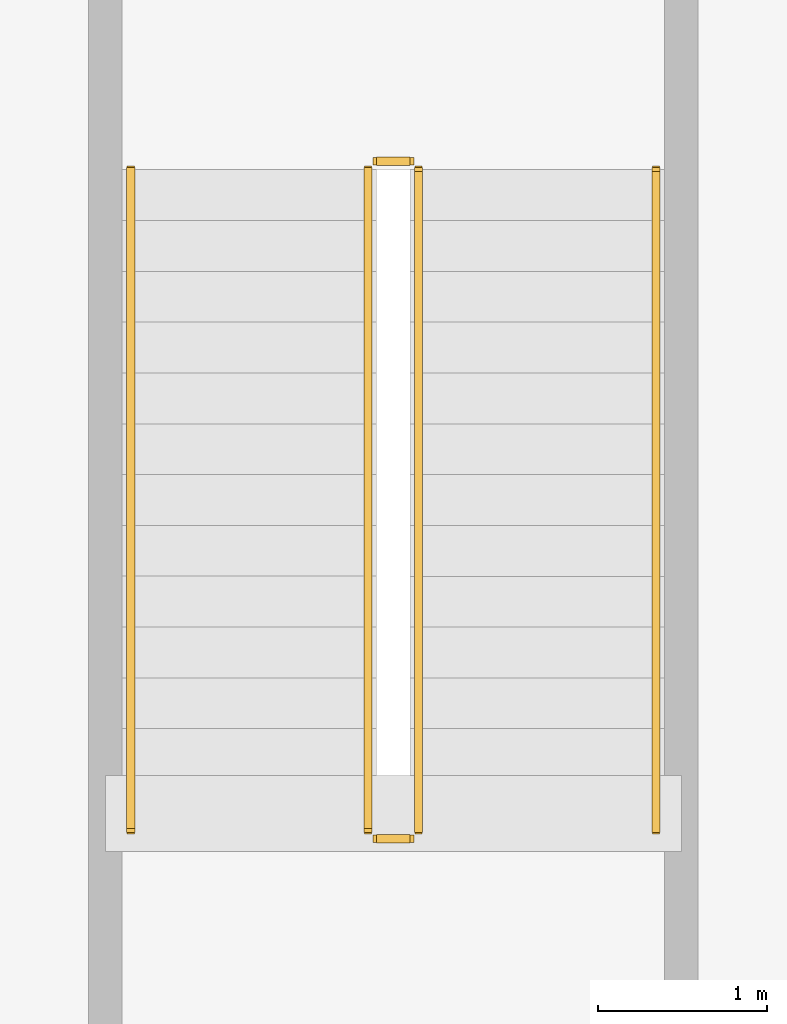
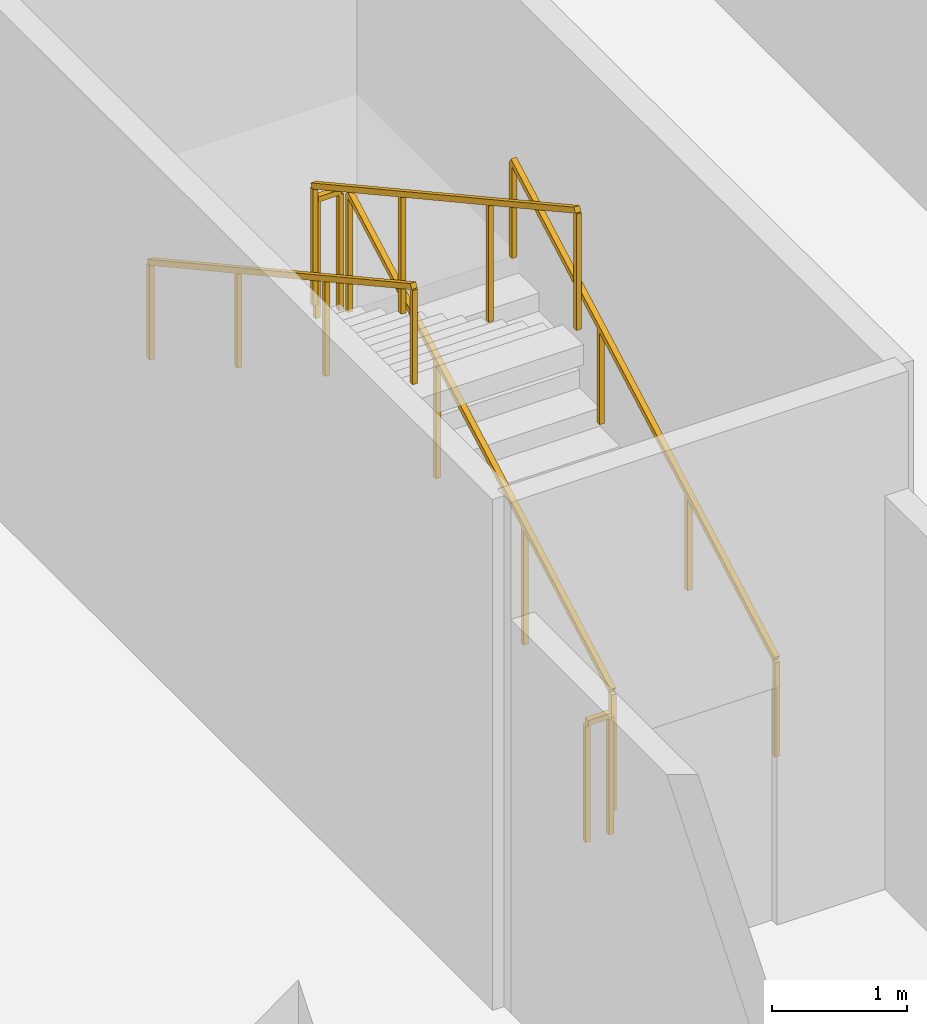
# One storey, part 13 of 13: 6 railings.
"""IFC4 building model written with IfcOpenShell, lengths in metres."""

from ifc_helpers import new_model, si_unit, direction, frame, origin, place, context, subcontext, project, spatial, rectangle, extrude, material, type_object, element, save


model = new_model("IFC4")

# Units and contexts
model_context = context("Model", 3, precision=1e-05, world=origin(), true_north=direction((0.0, 1.0)))
body_context = subcontext(model_context, "Body", "Model", "MODEL_VIEW")
ifc_project = project(units=[si_unit("LENGTHUNIT", "METRE"), si_unit("AREAUNIT", "SQUARE_METRE"), si_unit("VOLUMEUNIT", "CUBIC_METRE"), si_unit("PLANEANGLEUNIT", "RADIAN"), si_unit("MASSUNIT", "GRAM", prefix="KILO")], contexts=[model_context])

# Site, building, storey
site_placement = place(None, origin())
site = spatial("IfcSite", under=ifc_project, at=site_placement, CompositionType="ELEMENT")
building_placement = place(site_placement, origin())
building = spatial("IfcBuilding", under=site, at=building_placement, Name="Tanjung Sevakor Pilgrim Tower", CompositionType="ELEMENT")
storey_placement = place(building_placement, frame((0.0, 0.0, -4.6201171875)))
storey = spatial("IfcBuildingStorey", under=building, at=storey_placement, Name="B01", CompositionType="ELEMENT", Elevation=-4.6201171875)

# Railings
ifc_material_1 = material(Name="Steel S355J2", Category="steel")
railing_type_1 = type_object("IfcRailingType", Name="RL-STAIR-GUARD", PredefinedType="GUARDRAIL", material=ifc_material_1)
railing_1_placement = place(storey_placement, frame((107.550048828125, 52.89990234375, 0.1650390625)))
element("IfcRailing", 1, at=railing_1_placement, inside=storey, type_object=railing_type_1, Name="B01 BS-4 stair guard 1", PredefinedType="GUARDRAIL", context=body_context, shape_type="SweptSolid", body=[
    extrude(rectangle(XDim=0.0479, YDim=0.0479), frame((0.0, 0.0, 1.076171875), z_axis=(0.0, 0.876221698874, 0.481908221991), x_axis=(-1.0, 0.0, 0.0)), (0.0, 0.0, 1.0), 4.451171875),
    extrude(rectangle(XDim=0.042, YDim=0.042), origin(), (0.0, 0.0, 1.0), 1.052001953125),
    extrude(rectangle(XDim=0.042, YDim=0.042), frame((0.0, 1.300048828125, 0.715087890625)), (0.0, 0.0, 1.0), 1.052001953125),
    extrude(rectangle(XDim=0.042, YDim=0.042), frame((0.0, 2.60009765625, 1.429931640625)), (0.0, 0.0, 1.0), 1.052001953125),
    extrude(rectangle(XDim=0.042, YDim=0.042), frame((0.0, 3.900146484375, 2.14501953125)), (0.0, 0.0, 1.0), 1.052001953125),
])
railing_2_placement = place(storey_placement, frame((107.5, 56.85009765625, 2.31005859375)))
element("IfcRailing", 2, at=railing_2_placement, inside=storey, type_object=railing_type_1, Name="B01 BS-4 stair guard 2", PredefinedType="GUARDRAIL", context=body_context, shape_type="SweptSolid", body=[
    extrude(rectangle(XDim=0.0479, YDim=0.0479), frame((0.0, 0.0, 1.076171875), z_axis=(-1.0, 0.0, 0.0), x_axis=(0.0, -1.0, 0.0)), (0.0, 0.0, 1.0), 0.199951171875),
    extrude(rectangle(XDim=0.042, YDim=0.042), origin(), (0.0, 0.0, 1.0), 1.052001953125),
    extrude(rectangle(XDim=0.042, YDim=0.042), frame((-0.199951171875, 0.0, 0.0)), (0.0, 0.0, 1.0), 1.052001953125),
])
railing_3_placement = place(storey_placement, frame((107.25, 56.800048828125, 2.47509765625)))
element("IfcRailing", 3, at=railing_3_placement, inside=storey, type_object=railing_type_1, Name="B01 BS-4 stair guard 3", PredefinedType="GUARDRAIL", context=body_context, shape_type="SweptSolid", body=[
    extrude(rectangle(XDim=0.0479, YDim=0.0479), frame((0.0, 0.0, 1.076171875), z_axis=(0.0, -0.876221698874, 0.481908221991), x_axis=(1.0, 0.0, 0.0)), (0.0, 0.0, 1.0), 4.451171875),
    extrude(rectangle(XDim=0.042, YDim=0.042), origin(), (0.0, 0.0, 1.0), 1.052001953125),
    extrude(rectangle(XDim=0.042, YDim=0.042), frame((0.0, -1.300048828125, 0.715087890625)), (0.0, 0.0, 1.0), 1.052001953125),
    extrude(rectangle(XDim=0.042, YDim=0.042), frame((0.0, -2.60009765625, 1.429931640625)), (0.0, 0.0, 1.0), 1.052001953125),
    extrude(rectangle(XDim=0.042, YDim=0.042), frame((0.0, -3.900146484375, 2.14501953125)), (0.0, 0.0, 1.0), 1.052001953125),
])
railing_4_placement = place(storey_placement, frame((107.5, 52.85009765625, 0.0)))
element("IfcRailing", 4, at=railing_4_placement, inside=storey, type_object=railing_type_1, Name="B01 BS-4 stair guard 4", PredefinedType="GUARDRAIL", context=body_context, shape_type="SweptSolid", body=[
    extrude(rectangle(XDim=0.0479, YDim=0.0479), frame((0.0, 0.0, 1.076171875), z_axis=(-1.0, 0.0, 0.0), x_axis=(0.0, -1.0, 0.0)), (0.0, 0.0, 1.0), 0.199951171875),
    extrude(rectangle(XDim=0.042, YDim=0.042), origin(), (0.0, 0.0, 1.0), 1.052001953125),
    extrude(rectangle(XDim=0.042, YDim=0.042), frame((-0.199951171875, 0.0, 0.0)), (0.0, 0.0, 1.0), 1.052001953125),
])
ifc_material_2 = material(Name="Steel S355J2", Category="steel")
railing_type_2 = type_object("IfcRailingType", Name="RL-STAIR-HAND", PredefinedType="HANDRAIL", material=ifc_material_2)
railing_5_placement = place(storey_placement, frame((108.949951171875, 52.89990234375, 0.1650390625)))
element("IfcRailing", 5, at=railing_5_placement, inside=storey, type_object=railing_type_2, Name="B01 BS-4 stair handrail 1", PredefinedType="HANDRAIL", context=body_context, shape_type="SweptSolid", body=[
    extrude(rectangle(XDim=0.0479, YDim=0.0479), frame((0.0, 0.0, 0.8759765625), z_axis=(0.0, 0.876221698874, 0.481908221991), x_axis=(-1.0, 0.0, 0.0)), (0.0, 0.0, 1.0), 4.451171875),
    extrude(rectangle(XDim=0.042, YDim=0.042), origin(), (0.0, 0.0, 1.0), 0.851806640625),
    extrude(rectangle(XDim=0.042, YDim=0.042), frame((0.0, 1.300048828125, 0.715087890625)), (0.0, 0.0, 1.0), 0.851806640625),
    extrude(rectangle(XDim=0.042, YDim=0.042), frame((0.0, 2.60009765625, 1.429931640625)), (0.0, 0.0, 1.0), 0.851806640625),
    extrude(rectangle(XDim=0.042, YDim=0.042), frame((0.0, 3.900146484375, 2.14501953125)), (0.0, 0.0, 1.0), 0.851806640625),
])
railing_6_placement = place(storey_placement, frame((105.85009765625, 56.800048828125, 2.47509765625)))
element("IfcRailing", 6, at=railing_6_placement, inside=storey, type_object=railing_type_2, Name="B01 BS-4 stair handrail 2", PredefinedType="HANDRAIL", context=body_context, shape_type="SweptSolid", body=[
    extrude(rectangle(XDim=0.0479, YDim=0.0479), frame((0.0, 0.0, 0.8759765625), z_axis=(0.0, -0.876221698874, 0.481908221991), x_axis=(1.0, 0.0, 0.0)), (0.0, 0.0, 1.0), 4.451171875),
    extrude(rectangle(XDim=0.042, YDim=0.042), origin(), (0.0, 0.0, 1.0), 0.851806640625),
    extrude(rectangle(XDim=0.042, YDim=0.042), frame((0.0, -1.300048828125, 0.715087890625)), (0.0, 0.0, 1.0), 0.851806640625),
    extrude(rectangle(XDim=0.042, YDim=0.042), frame((0.0, -2.60009765625, 1.429931640625)), (0.0, 0.0, 1.0), 0.851806640625),
    extrude(rectangle(XDim=0.042, YDim=0.042), frame((0.0, -3.900146484375, 2.14501953125)), (0.0, 0.0, 1.0), 0.851806640625),
])

save(model, "model.ifc")
